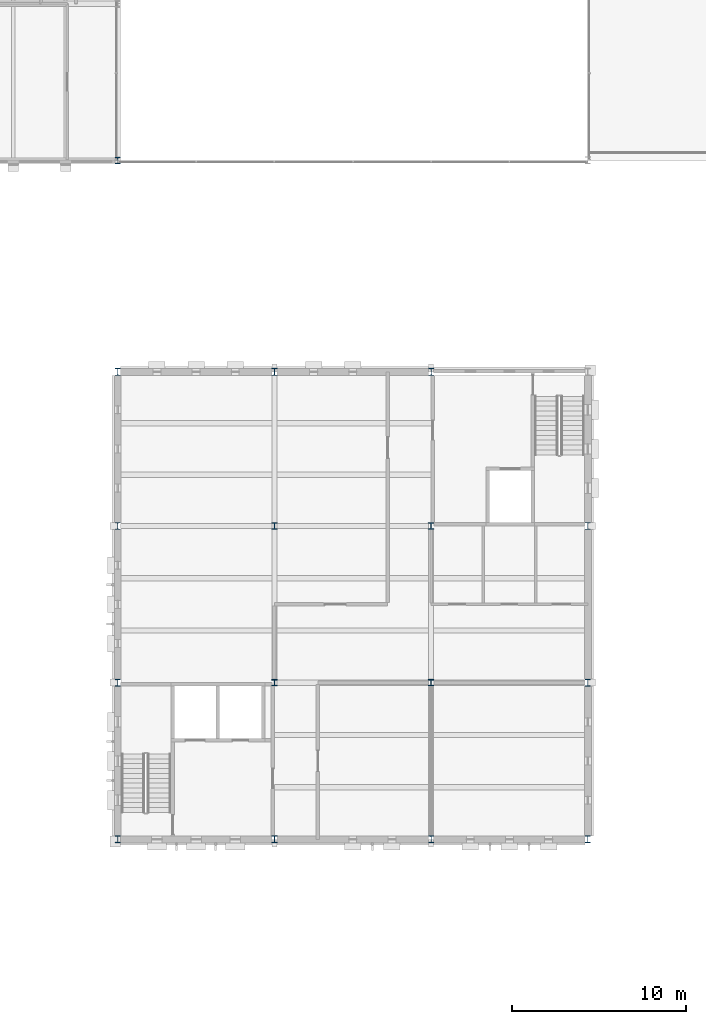
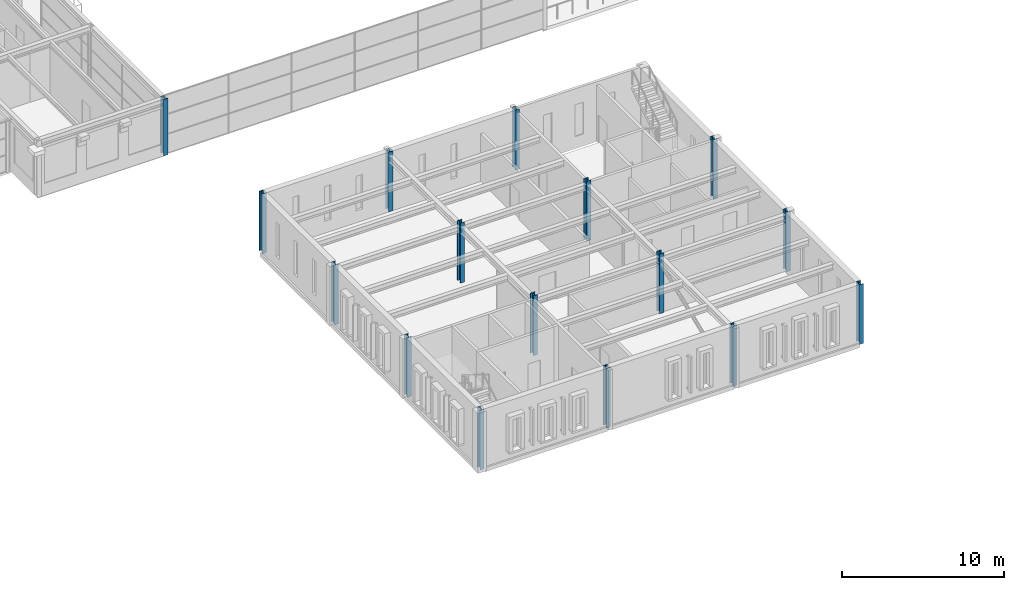
# One storey, part 3 of 111: 16 columns.
"""IFC4 building model written with IfcOpenShell, lengths in metres."""

from ifc_helpers import new_model, si_unit, direction, frame, origin, origin_2d, place, context, subcontext, project, spatial, i_section, extrude, material, material_profile, profile_set, type_object, element, save


model = new_model("IFC4")

# Units and contexts
model_context = context("Model", 3, precision=1e-05, world=origin(), true_north=direction((0.0, 1.0)))
body_context = subcontext(model_context, "Body", "Model", "MODEL_VIEW")
ifc_project = project(units=[si_unit("LENGTHUNIT", "METRE"), si_unit("AREAUNIT", "SQUARE_METRE"), si_unit("VOLUMEUNIT", "CUBIC_METRE"), si_unit("PLANEANGLEUNIT", "RADIAN"), si_unit("MASSUNIT", "GRAM", prefix="KILO")], contexts=[model_context])

# Site, building, storey
site_placement = place(None, origin())
site = spatial("IfcSite", under=ifc_project, at=site_placement, CompositionType="ELEMENT")
building_placement = place(site_placement, origin())
building = spatial("IfcBuilding", under=site, at=building_placement, Name="Kallimachos Central Library", CompositionType="ELEMENT")
storey_placement = place(building_placement, frame((0.0, 0.0, 14.39990234375)))
storey = spatial("IfcBuildingStorey", under=building, at=storey_placement, Name="L03", CompositionType="ELEMENT", Elevation=14.39990234375)

# Columns
ifc_material_1 = material(Name="Steel S355J2", Category="steel")
ifc_material_profile_1 = material_profile(ifc_material_1, i_section(OverallWidth=0.300048828125, OverallDepth=0.39990234375, WebThickness=0.013427734375, FlangeThickness=0.02392578125, FilletRadius=0.027099609375, at=origin_2d()), Name="HEB 400")
ifc_profile_set_1 = profile_set([ifc_material_profile_1], Name="Steel S355J2")
column_type_1 = type_object("IfcColumnType", Name="HEB 400 column", PredefinedType="COLUMN", material=ifc_profile_set_1)
for number, where, z_axis, x_axis, name in (
    (1, (74.5, 18.0, 0.0), (0.0, 0.0, 1.0), (1.0, 0.0, 0.0), "V5-COL-L03-001"),
    (2, (83.5, 18.0, 0.0), (0.0, 0.0, 1.0), (1.0, 0.0, 0.0), "V5-COL-L03-002"),
    (3, (92.5, 18.0, 0.0), (0.0, 0.0, 1.0), (1.0, 0.0, 0.0), "V5-COL-L03-003"),
    (4, (101.5, 18.0, 0.0), (0.0, 0.0, 1.0), (1.0, 0.0, 0.0), "V5-COL-L03-004"),
    (5, (74.5, 27.0, 0.0), (0.0, 0.0, 1.0), (1.0, 0.0, 0.0), "V5-COL-L03-005"),
    (6, (101.5, 27.0, 0.0), (0.0, 0.0, 1.0), (1.0, 0.0, 0.0), "V5-COL-L03-008"),
    (7, (74.5, 36.0, 0.0), (0.0, 0.0, 1.0), (1.0, 0.0, 0.0), "V5-COL-L03-009"),
    (8, (101.5, 36.0, 0.0), (0.0, 0.0, 1.0), (1.0, 0.0, 0.0), "V5-COL-L03-012"),
    (9, (74.5, 44.85009765625, 0.0), (0.0, 0.0, 1.0), (1.0, 0.0, 0.0), "V5-COL-L03-013"),
    (10, (83.5, 44.85009765625, 0.0), (0.0, 0.0, 1.0), (1.0, 0.0, 0.0), "V5-COL-L03-014"),
    (11, (92.5, 44.85009765625, 0.0), (0.0, 0.0, 1.0), (1.0, 0.0, 0.0), "V5-COL-L03-015"),
):
    element("IfcColumn", number, at=place(storey_placement, frame(where, z_axis=z_axis, x_axis=x_axis)), inside=storey, type_object=column_type_1, Name=name, PredefinedType="COLUMN", context=body_context, shape_type="SweptSolid", body=[
        extrude(i_section(OverallWidth=0.300048828125, OverallDepth=0.39990234375, WebThickness=0.013427734375, FlangeThickness=0.02392578125, FilletRadius=0.027099609375, at=origin_2d()), origin(), (0.0, 0.0, 1.0), 4.5),
    ])
ifc_material_2 = material(Name="Steel S355J2", Category="steel")
ifc_material_profile_2 = material_profile(ifc_material_2, i_section(OverallWidth=0.30908203125, OverallDepth=0.376953125, WebThickness=0.02099609375, FlangeThickness=0.0400390625, FilletRadius=0.027099609375, at=origin_2d()), Name="HEM 340")
ifc_profile_set_2 = profile_set([ifc_material_profile_2], Name="Steel S355J2")
column_type_2 = type_object("IfcColumnType", Name="HEM 340 column", PredefinedType="COLUMN", material=ifc_profile_set_2)
for number, where, z_axis, x_axis, name in (
    (12, (83.5, 27.0, 0.0), (0.0, 0.0, 1.0), (1.0, 0.0, 0.0), "V5-COL-L03-006"),
    (13, (92.5, 27.0, 0.0), (0.0, 0.0, 1.0), (1.0, 0.0, 0.0), "V5-COL-L03-007"),
    (14, (83.5, 36.0, 0.0), (0.0, 0.0, 1.0), (1.0, 0.0, 0.0), "V5-COL-L03-010"),
    (15, (92.5, 36.0, 0.0), (0.0, 0.0, 1.0), (1.0, 0.0, 0.0), "V5-COL-L03-011"),
):
    element("IfcColumn", number, at=place(storey_placement, frame(where, z_axis=z_axis, x_axis=x_axis)), inside=storey, type_object=column_type_2, Name=name, PredefinedType="COLUMN", context=body_context, shape_type="SweptSolid", body=[
        extrude(i_section(OverallWidth=0.30908203125, OverallDepth=0.376953125, WebThickness=0.02099609375, FlangeThickness=0.0400390625, FilletRadius=0.027099609375, at=origin_2d()), origin(), (0.0, 0.0, 1.0), 4.5),
    ])
column_placement = place(storey_placement, frame((74.5, 57.0, 0.0), z_axis=(0.0, 0.0, 1.0), x_axis=(1.0, 0.0, 0.0)))
element("IfcColumn", 16, at=column_placement, inside=storey, type_object=column_type_2, Name="V4-COL-L03-002", PredefinedType="COLUMN", context=body_context, shape_type="SweptSolid", body=[
    extrude(i_section(OverallWidth=0.30908203125, OverallDepth=0.376953125, WebThickness=0.02099609375, FlangeThickness=0.0400390625, FilletRadius=0.027099609375, at=origin_2d()), origin(), (0.0, 0.0, 1.0), 4.25),
])

save(model, "model.ifc")
